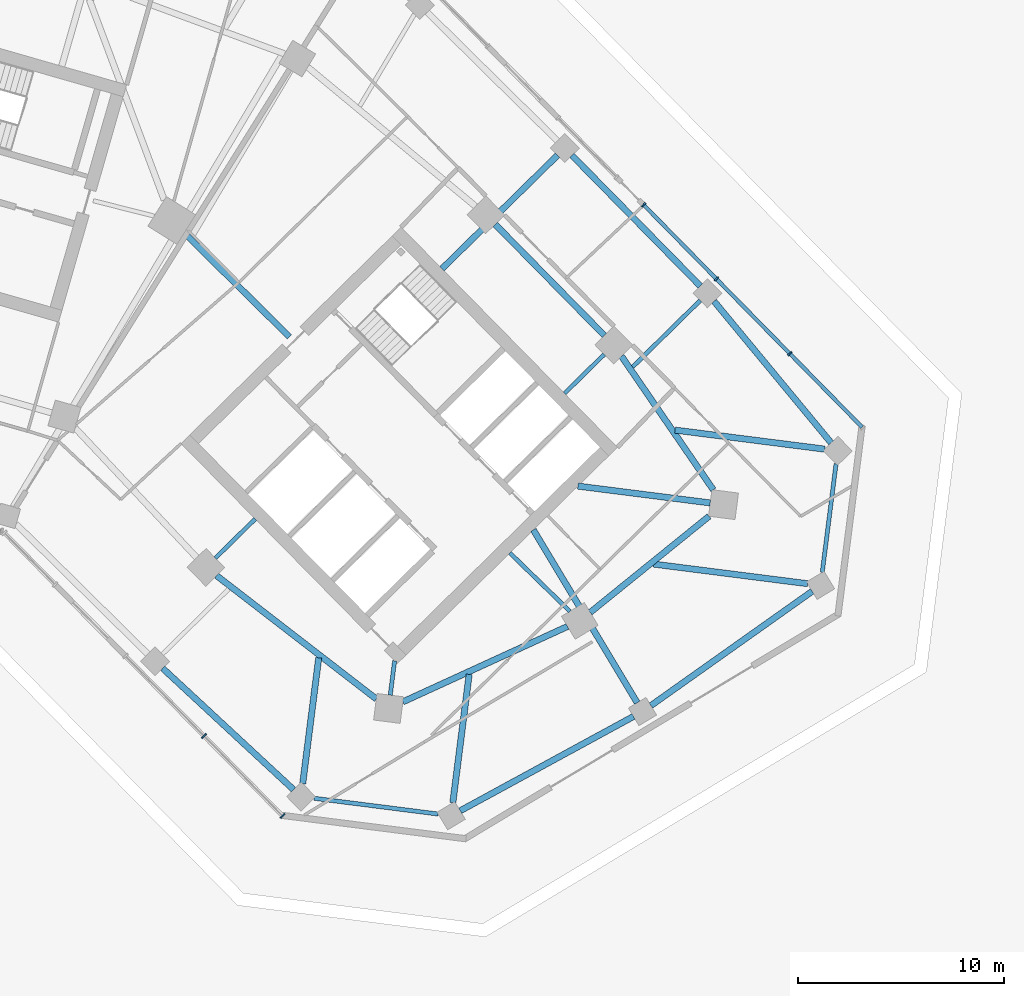
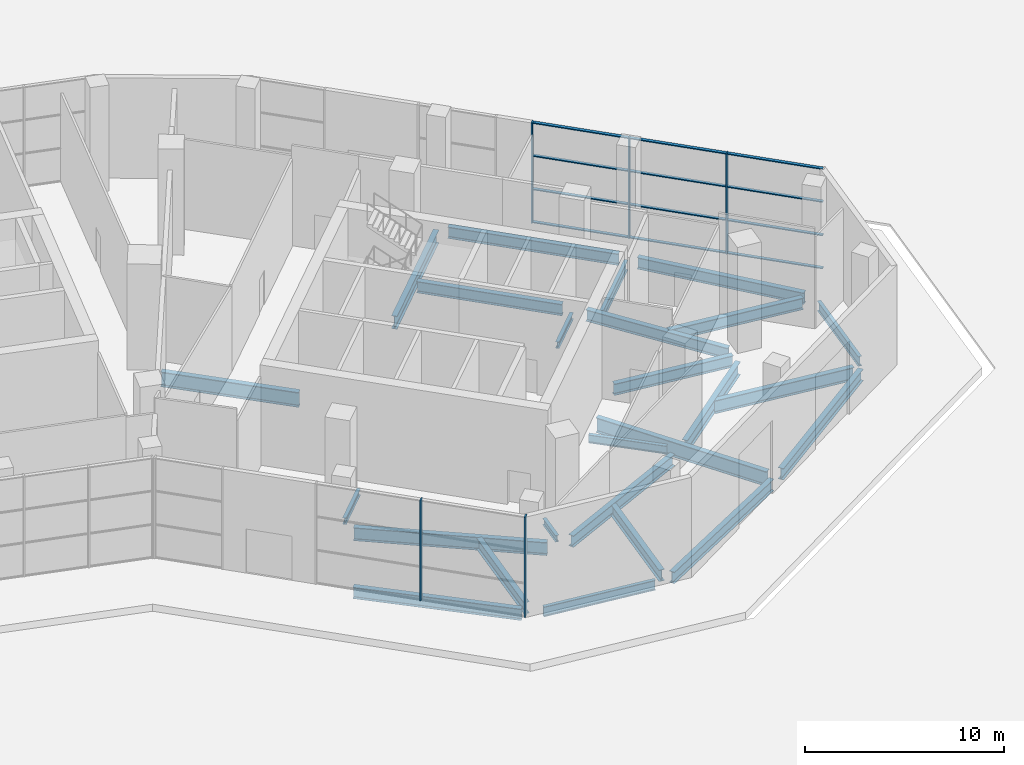
# One storey, part 7 of 22: 25 beams, 17 members, 2 elements without a shape of their own.
"""IFC4 building model written with IfcOpenShell, lengths in metres."""

import ifcopenshell
import ifcopenshell.guid

model = None  # the IFC model being written
_history = None  # IfcOwnerHistory: only IFC2X3 demands one
_inside = {}  # id of a spatial element -> (the spatial element, [elements in it])
_under = {}  # id of a project, library or spatial element -> (it, [spatial elements below it])
_declared = {}  # id of a project -> (the project, [libraries it declares])
_typed = {}  # id of a type object -> (the type object, [elements of that type])
_made_of = {}  # id of a material, layer set ... -> (it, [elements and type objects made of it])


def new_model(schema):
    """Start an empty IFC model of exactly this schema.

    Asked for "IFC4X3", IfcOpenShell would pick the latest addendum, in which some entities
    have other attributes; the version numbers below select the first issue.
    IFC2X3 requires an IfcOwnerHistory on every rooted entity: one is made here for all.
    """
    global model, _history
    if schema == "IFC4X3":
        model = ifcopenshell.file(schema_version=(4, 3, 0, 0))
    else:
        model = ifcopenshell.file(schema=schema)
    _inside.clear()
    _under.clear()
    _declared.clear()
    _typed.clear()
    _made_of.clear()
    _history = None
    if model.schema == "IFC2X3":
        org = make("IfcOrganization", Name="unknown")
        user = make(
            "IfcPersonAndOrganization",
            ThePerson=make("IfcPerson", FamilyName="unknown"),
            TheOrganization=org,
        )
        app = make(
            "IfcApplication",
            ApplicationDeveloper=org,
            Version="unknown",
            ApplicationFullName="unknown",
            ApplicationIdentifier="unknown",
        )
        _history = make(
            "IfcOwnerHistory",
            OwningUser=user,
            OwningApplication=app,
            ChangeAction="ADDED",
            CreationDate=0,
        )
    return model


def make(cls, **values):
    """One entity of the class cls with the attributes given. An attribute that is None is left unset."""
    return model.create_entity(
        cls, **{name: value for name, value in values.items() if value is not None}
    )


def rooted(cls, **values):
    """An entity with a GlobalId (a new one), such as an element, a storey or a relation."""
    return make(cls, GlobalId=ifcopenshell.guid.new(), OwnerHistory=_history, **values)


def si_unit(unit_type, name, prefix=None):
    """IfcSIUnit, for example si_unit("LENGTHUNIT", "METRE", prefix="MILLI")."""
    return make("IfcSIUnit", UnitType=unit_type, Prefix=prefix, Name=name)


def assignment(units):
    """IfcUnitAssignment: the units of a project."""
    return None if units is None else make("IfcUnitAssignment", Units=units)


def point(xyz):
    """IfcCartesianPoint."""
    return None if xyz is None else make("IfcCartesianPoint", Coordinates=xyz)


def direction(xyz):
    """IfcDirection."""
    return None if xyz is None else make("IfcDirection", DirectionRatios=xyz)


def frame(location, z_axis=None, x_axis=None):
    """IfcAxis2Placement3D, a coordinate frame: its origin and axes. An axis left out is left unset."""
    return make(
        "IfcAxis2Placement3D",
        Location=point(location),
        Axis=direction(z_axis),
        RefDirection=direction(x_axis),
    )


def frame_2d(location, x_axis=None):
    """IfcAxis2Placement2D, a coordinate frame in the plane: its origin and x axis."""
    return make(
        "IfcAxis2Placement2D", Location=point(location), RefDirection=direction(x_axis)
    )


def origin():
    """The frame at (0, 0, 0) with its axes left unset."""
    return frame((0.0, 0.0, 0.0))


def origin_2d():
    """The frame at (0, 0) in the plane with its x axis left unset."""
    return frame_2d((0.0, 0.0))


def place(relative_to, where):
    """IfcLocalPlacement: puts the frame where relative to a parent placement (None: the world)."""
    return make(
        "IfcLocalPlacement", PlacementRelTo=relative_to, RelativePlacement=where
    )


def context(
    kind, dimensions, precision=None, world=None, true_north=None, identifier=None
):
    """IfcGeometricRepresentationContext, for example the 3D "Model" context."""
    return make(
        "IfcGeometricRepresentationContext",
        ContextIdentifier=identifier,
        ContextType=kind,
        CoordinateSpaceDimension=dimensions,
        Precision=precision,
        WorldCoordinateSystem=world,
        TrueNorth=true_north,
    )


def subcontext(parent, identifier, kind, view, scale=None):
    """IfcGeometricRepresentationSubContext, for example "Body" below "Model"."""
    return make(
        "IfcGeometricRepresentationSubContext",
        ContextIdentifier=identifier,
        ContextType=kind,
        ParentContext=parent,
        TargetScale=scale,
        TargetView=view,
    )


def project(units=None, contexts=None):
    """IfcProject with its units and contexts."""
    return rooted(
        "IfcProject",
        Name="project",
        RepresentationContexts=contexts,
        UnitsInContext=assignment(units),
    )


def spatial(cls, under=None, at=None, **own):
    """A site, building, storey or space (cls), placed at a placement, below another one or the project."""
    s = rooted(cls, ObjectPlacement=at, **own)
    if under is not None:
        _under.setdefault(under.id(), (under, []))[1].append(s)
    return s


def profile(cls, at=None, kind="AREA", **sizes):
    """A parametric profile (cls). Its sizes go by their IFC names, for example OverallWidth=200.0."""
    return make(cls, ProfileType=kind, Position=at, **sizes)


def rectangle(**sizes):
    """IfcRectangleProfileDef."""
    return profile("IfcRectangleProfileDef", **sizes)


def i_section(**sizes):
    """IfcIShapeProfileDef."""
    return profile("IfcIShapeProfileDef", **sizes)


def extrude(swept, where, along, depth):
    """IfcExtrudedAreaSolid: the profile swept, set in the frame where, extruded along a direction by depth."""
    return make(
        "IfcExtrudedAreaSolid",
        SweptArea=swept,
        Position=where,
        ExtrudedDirection=direction(along),
        Depth=depth,
    )


def shape(context_of_items, identifier, shape_type, items):
    """IfcShapeRepresentation: the items that make up one representation, for example the "Body"."""
    return make(
        "IfcShapeRepresentation",
        ContextOfItems=context_of_items,
        RepresentationIdentifier=identifier,
        RepresentationType=shape_type,
        Items=items,
    )


def material(Name=None, Category=None):
    """IfcMaterial."""
    return make("IfcMaterial", Name=Name, Category=Category)


def material_profile(
    of_material, cross_section, Name=None, Category=None, Priority=None
):
    """IfcMaterialProfile: a cross section and its material."""
    return make(
        "IfcMaterialProfile",
        Name=Name,
        Material=of_material,
        Profile=cross_section,
        Priority=Priority,
        Category=Category,
    )


def profile_set(profiles, Name=None, composite=None):
    """IfcMaterialProfileSet."""
    return make(
        "IfcMaterialProfileSet",
        Name=Name,
        MaterialProfiles=profiles,
        CompositeProfile=composite,
    )


def made_of(thing, what):
    """Note that an element or type object is made of a material, layer set ...; save() writes the relation."""
    if what is not None:
        _made_of.setdefault(what.id(), (what, []))[1].append(thing)
    return thing


def type_object(cls, material=None, **own):
    """A type object (cls), such as IfcWallType, which elements share."""
    return made_of(rooted(cls, **own), material)


def element(
    cls,
    number,
    at=None,
    inside=None,
    cuts=None,
    type_object=None,
    material=None,
    context=None,
    identifier="Body",
    shape_type=None,
    held_by="IfcProductDefinitionShape",
    body=None,
    shapes=None,
    **own,
):
    """One element of the class cls, such as IfcWall. Its Tag is "e" and its number.

    at: its placement. inside: the storey or other place that contains it. cuts: it is an
    opening in that element (IfcRelVoidsElement). A single representation is given by context,
    identifier, shape_type and body (its items); several are given by shapes. held_by: the class
    of the entity that holds the representations. save() writes the other relations.
    """
    e = rooted(cls, Tag="e%d" % number, ObjectPlacement=at, **own)
    if body is not None:
        shapes = [shape(context, identifier, shape_type, body)]
    if shapes is not None:
        e.Representation = make(held_by, Representations=shapes)
    if inside is not None:
        _inside.setdefault(inside.id(), (inside, []))[1].append(e)
    if cuts is not None:
        rooted(
            "IfcRelVoidsElement", RelatingBuildingElement=cuts, RelatedOpeningElement=e
        )
    if type_object is not None:
        _typed.setdefault(type_object.id(), (type_object, []))[1].append(e)
    return made_of(e, material)


def aggregate(whole, parts):
    """IfcRelAggregates: a whole, such as a stair, and the parts it consists of."""
    return rooted("IfcRelAggregates", RelatingObject=whole, RelatedObjects=parts)


def save(model, path):
    """Write the relations noted so far, then the file.

    IfcRelAggregates (storeys below a building ...), IfcRelContainedInSpatialStructure (elements
    in a storey), IfcRelDefinesByType, IfcRelAssociatesMaterial and IfcRelDeclares: one each for
    every whole, place, type object, material and project.
    """
    for whole, parts in _under.values():
        aggregate(whole, parts)
    for where, things in _inside.values():
        rooted(
            "IfcRelContainedInSpatialStructure",
            RelatedElements=things,
            RelatingStructure=where,
        )
    for kind, things in _typed.values():
        rooted("IfcRelDefinesByType", RelatedObjects=things, RelatingType=kind)
    for what, things in _made_of.values():
        rooted("IfcRelAssociatesMaterial", RelatedObjects=things, RelatingMaterial=what)
    for by, libraries in _declared.values():
        rooted("IfcRelDeclares", RelatingContext=by, RelatedDefinitions=libraries)
    model.write(path)


model = new_model("IFC4")

# Units and contexts
model_context = context("Model", 3, precision=1e-05, world=origin(), true_north=direction((0.0, 1.0)))
body_context = subcontext(model_context, "Body", "Model", "MODEL_VIEW")
ifc_project = project(units=[si_unit("LENGTHUNIT", "METRE"), si_unit("AREAUNIT", "SQUARE_METRE"), si_unit("VOLUMEUNIT", "CUBIC_METRE"), si_unit("PLANEANGLEUNIT", "RADIAN"), si_unit("MASSUNIT", "GRAM", prefix="KILO")], contexts=[model_context])

# Site, building, storey
site_placement = place(None, origin())
site = spatial("IfcSite", under=ifc_project, at=site_placement, CompositionType="ELEMENT")
building_placement = place(site_placement, origin())
building = spatial("IfcBuilding", under=site, at=building_placement, Name="Binnacle Exchange Tower", CompositionType="ELEMENT")
storey_placement = place(building_placement, origin())
storey = spatial("IfcBuildingStorey", under=building, at=storey_placement, Name="L00", CompositionType="ELEMENT", Elevation=0.0)

# Curtain wall, members
ifc_material_1 = material(Name="Bronze anodised aluminium frame", Category="aluminium")
curtain_wall_type_1 = type_object("IfcCurtainWallType", Name="External wall - curtain wall waterfront lobby", PredefinedType="NOTDEFINED", material=ifc_material_1)
curtain_wall_1_placement = place(storey_placement, origin())
curtain_wall_1 = element("IfcCurtainWall", 1, at=curtain_wall_1_placement, inside=storey, type_object=curtain_wall_type_1, Name="External wall curtain wall CW1-P08-2 L00", PredefinedType="NOTDEFINED")
ifc_material_profile_1 = material_profile(ifc_material_1, rectangle(XDim=0.300048828125, YDim=0.080078125, at=origin_2d()), Name="AL 80x300")
ifc_profile_set_1 = profile_set([ifc_material_profile_1], Name="Bronze anodised aluminium frame")
member_type_1 = type_object("IfcMemberType", Name="CW1 MULLION 80x300", PredefinedType="MULLION", material=ifc_profile_set_1)
member_1_placement = place(storey_placement, frame((32.553466796875, 26.330078125, 0.0), z_axis=(0.0, 0.0, 1.0), x_axis=(0.713250360635, 0.700909354378, 0.0)))
member_1 = element("IfcMember", 2, at=member_1_placement, type_object=member_type_1, Name="CW1-P08-2 mullion 2", PredefinedType="MULLION", context=body_context, shape_type="SweptSolid", body=[
    extrude(rectangle(XDim=0.300048828125, YDim=0.080078125, at=origin_2d()), origin(), (0.0, 0.0, 1.0), 6.14990234375),
])
member_2_placement = place(storey_placement, frame((36.370361328125, 22.44580078125, 0.0), z_axis=(0.0, 0.0, 1.0), x_axis=(0.713250360635, 0.700909354378, 0.0)))
member_2 = element("IfcMember", 3, at=member_2_placement, type_object=member_type_1, Name="CW1-P08-2 mullion 3", PredefinedType="MULLION", context=body_context, shape_type="SweptSolid", body=[
    extrude(rectangle(XDim=0.300048828125, YDim=0.080078125, at=origin_2d()), origin(), (0.0, 0.0, 1.0), 6.14990234375),
])
aggregate(curtain_wall_1, [member_1, member_2])

curtain_wall_type_2 = type_object("IfcCurtainWallType", Name="External wall - curtain wall north entrance", PredefinedType="NOTDEFINED", material=ifc_material_1)
curtain_wall_2_placement = place(storey_placement, origin())
curtain_wall_2 = element("IfcCurtainWall", 4, at=curtain_wall_2_placement, inside=storey, type_object=curtain_wall_type_2, Name="External wall curtain wall CW2-P12-1 L00", PredefinedType="NOTDEFINED")
ifc_material_profile_2 = material_profile(ifc_material_1, rectangle(XDim=0.25, YDim=0.080078125, at=origin_2d()), Name="AL 80x250")
ifc_profile_set_2 = profile_set([ifc_material_profile_2], Name="Bronze anodised aluminium frame")
member_type_2 = type_object("IfcMemberType", Name="CW2 MULLION 80x250", PredefinedType="MULLION", material=ifc_profile_set_2)
member_3_placement = place(storey_placement, frame((61.025146484375, 44.919189453125, 0.0), z_axis=(0.0, 0.0, 1.0), x_axis=(-0.713250360623, -0.70090935439, 0.0)))
member_3 = element("IfcMember", 5, at=member_3_placement, type_object=member_type_2, Name="CW2-P12-1 mullion 2", PredefinedType="MULLION", context=body_context, shape_type="SweptSolid", body=[
    extrude(rectangle(XDim=0.25, YDim=0.080078125, at=origin_2d()), origin(), (0.0, 0.0, 1.0), 6.14990234375),
])
member_4_placement = place(storey_placement, frame((57.456787109375, 48.550537109375, 0.0), z_axis=(0.0, 0.0, 1.0), x_axis=(-0.713250360623, -0.70090935439, 0.0)))
member_4 = element("IfcMember", 6, at=member_4_placement, type_object=member_type_2, Name="CW2-P12-1 mullion 3", PredefinedType="MULLION", context=body_context, shape_type="SweptSolid", body=[
    extrude(rectangle(XDim=0.25, YDim=0.080078125, at=origin_2d()), origin(), (0.0, 0.0, 1.0), 6.14990234375),
])
member_5_placement = place(storey_placement, frame((53.916259765625, 52.1533203125, 0.0), z_axis=(0.0, 0.0, 1.0), x_axis=(-0.713250360623, -0.70090935439, 0.0)))
member_5 = element("IfcMember", 7, at=member_5_placement, type_object=member_type_2, Name="CW2-P12-1 mullion 4", PredefinedType="MULLION", context=body_context, shape_type="SweptSolid", body=[
    extrude(rectangle(XDim=0.25, YDim=0.080078125, at=origin_2d()), origin(), (0.0, 0.0, 1.0), 6.14990234375),
])
ifc_material_profile_3 = material_profile(ifc_material_1, rectangle(XDim=0.179931640625, YDim=0.06005859375, at=origin_2d()), Name="AL 180x60")
ifc_profile_set_3 = profile_set([ifc_material_profile_3], Name="Bronze anodised aluminium frame")
member_type_3 = type_object("IfcMemberType", Name="CW2 TRANSOM 60x180", PredefinedType="USERDEFINED", material=ifc_profile_set_3)
member_6_placement = place(storey_placement, frame((64.53759765625, 41.344970703125, 0.030029296875), z_axis=(-0.700891899442, 0.713267513137, 0.0), x_axis=(-0.713267513137, -0.700891899442, 0.0)))
member_6 = element("IfcMember", 8, at=member_6_placement, type_object=member_type_3, Name="CW2-P12-1 transom 1.1", ObjectType="TRANSOM", PredefinedType="USERDEFINED", context=body_context, shape_type="SweptSolid", body=[
    extrude(rectangle(XDim=0.179931640625, YDim=0.06005859375, at=origin_2d()), origin(), (0.0, 0.0, 1.0), 4.971435546875),
])
member_7_placement = place(storey_placement, frame((64.53759765625, 41.344970703125, 2.050048828125), z_axis=(-0.700891899442, 0.713267513137, 0.0), x_axis=(-0.713267513137, -0.700891899442, 0.0)))
member_7 = element("IfcMember", 9, at=member_7_placement, type_object=member_type_3, Name="CW2-P12-1 transom 1.2", ObjectType="TRANSOM", PredefinedType="USERDEFINED", context=body_context, shape_type="SweptSolid", body=[
    extrude(rectangle(XDim=0.179931640625, YDim=0.06005859375, at=origin_2d()), origin(), (0.0, 0.0, 1.0), 4.971435546875),
])
member_8_placement = place(storey_placement, frame((64.53759765625, 41.344970703125, 4.10009765625), z_axis=(-0.700891899442, 0.713267513137, 0.0), x_axis=(-0.713267513137, -0.700891899442, 0.0)))
member_8 = element("IfcMember", 10, at=member_8_placement, type_object=member_type_3, Name="CW2-P12-1 transom 1.3", ObjectType="TRANSOM", PredefinedType="USERDEFINED", context=body_context, shape_type="SweptSolid", body=[
    extrude(rectangle(XDim=0.179931640625, YDim=0.06005859375, at=origin_2d()), origin(), (0.0, 0.0, 1.0), 4.971435546875),
])
member_9_placement = place(storey_placement, frame((64.53759765625, 41.344970703125, 6.1201171875), z_axis=(-0.700891899442, 0.713267513137, 0.0), x_axis=(-0.713267513137, -0.700891899442, 0.0)))
member_9 = element("IfcMember", 11, at=member_9_placement, type_object=member_type_3, Name="CW2-P12-1 transom 1.4", ObjectType="TRANSOM", PredefinedType="USERDEFINED", context=body_context, shape_type="SweptSolid", body=[
    extrude(rectangle(XDim=0.179931640625, YDim=0.06005859375, at=origin_2d()), origin(), (0.0, 0.0, 1.0), 4.971435546875),
])
member_10_placement = place(storey_placement, frame((60.9970703125, 44.94775390625, 0.030029296875), z_axis=(-0.700892643465, 0.713266782023, 0.0), x_axis=(-0.713266782023, -0.700892643465, 0.0)))
member_10 = element("IfcMember", 12, at=member_10_placement, type_object=member_type_3, Name="CW2-P12-1 transom 2.1", ObjectType="TRANSOM", PredefinedType="USERDEFINED", context=body_context, shape_type="SweptSolid", body=[
    extrude(rectangle(XDim=0.179931640625, YDim=0.06005859375, at=origin_2d()), origin(), (0.0, 0.0, 1.0), 5.011474609375),
])
member_11_placement = place(storey_placement, frame((60.9970703125, 44.94775390625, 2.050048828125), z_axis=(-0.700892643465, 0.713266782023, 0.0), x_axis=(-0.713266782023, -0.700892643465, 0.0)))
member_11 = element("IfcMember", 13, at=member_11_placement, type_object=member_type_3, Name="CW2-P12-1 transom 2.2", ObjectType="TRANSOM", PredefinedType="USERDEFINED", context=body_context, shape_type="SweptSolid", body=[
    extrude(rectangle(XDim=0.179931640625, YDim=0.06005859375, at=origin_2d()), origin(), (0.0, 0.0, 1.0), 5.011474609375),
])
member_12_placement = place(storey_placement, frame((60.9970703125, 44.94775390625, 4.10009765625), z_axis=(-0.700892643465, 0.713266782023, 0.0), x_axis=(-0.713266782023, -0.700892643465, 0.0)))
member_12 = element("IfcMember", 14, at=member_12_placement, type_object=member_type_3, Name="CW2-P12-1 transom 2.3", ObjectType="TRANSOM", PredefinedType="USERDEFINED", context=body_context, shape_type="SweptSolid", body=[
    extrude(rectangle(XDim=0.179931640625, YDim=0.06005859375, at=origin_2d()), origin(), (0.0, 0.0, 1.0), 5.011474609375),
])
member_13_placement = place(storey_placement, frame((60.9970703125, 44.94775390625, 6.1201171875), z_axis=(-0.700892643465, 0.713266782023, 0.0), x_axis=(-0.713266782023, -0.700892643465, 0.0)))
member_13 = element("IfcMember", 15, at=member_13_placement, type_object=member_type_3, Name="CW2-P12-1 transom 2.4", ObjectType="TRANSOM", PredefinedType="USERDEFINED", context=body_context, shape_type="SweptSolid", body=[
    extrude(rectangle(XDim=0.179931640625, YDim=0.06005859375, at=origin_2d()), origin(), (0.0, 0.0, 1.0), 5.011474609375),
])
member_14_placement = place(storey_placement, frame((57.4287109375, 48.5791015625, 0.030029296875), z_axis=(-0.700891899442, 0.713267513137, 0.0), x_axis=(-0.713267513137, -0.700891899442, 0.0)))
member_14 = element("IfcMember", 16, at=member_14_placement, type_object=member_type_3, Name="CW2-P12-1 transom 3.1", ObjectType="TRANSOM", PredefinedType="USERDEFINED", context=body_context, shape_type="SweptSolid", body=[
    extrude(rectangle(XDim=0.179931640625, YDim=0.06005859375, at=origin_2d()), origin(), (0.0, 0.0, 1.0), 4.971435546875),
])
member_15_placement = place(storey_placement, frame((57.4287109375, 48.5791015625, 2.050048828125), z_axis=(-0.700891899442, 0.713267513137, 0.0), x_axis=(-0.713267513137, -0.700891899442, 0.0)))
member_15 = element("IfcMember", 17, at=member_15_placement, type_object=member_type_3, Name="CW2-P12-1 transom 3.2", ObjectType="TRANSOM", PredefinedType="USERDEFINED", context=body_context, shape_type="SweptSolid", body=[
    extrude(rectangle(XDim=0.179931640625, YDim=0.06005859375, at=origin_2d()), origin(), (0.0, 0.0, 1.0), 4.971435546875),
])
member_16_placement = place(storey_placement, frame((57.4287109375, 48.5791015625, 4.10009765625), z_axis=(-0.700891899442, 0.713267513137, 0.0), x_axis=(-0.713267513137, -0.700891899442, 0.0)))
member_16 = element("IfcMember", 18, at=member_16_placement, type_object=member_type_3, Name="CW2-P12-1 transom 3.3", ObjectType="TRANSOM", PredefinedType="USERDEFINED", context=body_context, shape_type="SweptSolid", body=[
    extrude(rectangle(XDim=0.179931640625, YDim=0.06005859375, at=origin_2d()), origin(), (0.0, 0.0, 1.0), 4.971435546875),
])
member_17_placement = place(storey_placement, frame((57.4287109375, 48.5791015625, 6.1201171875), z_axis=(-0.700891899442, 0.713267513137, 0.0), x_axis=(-0.713267513137, -0.700891899442, 0.0)))
member_17 = element("IfcMember", 19, at=member_17_placement, type_object=member_type_3, Name="CW2-P12-1 transom 3.4", ObjectType="TRANSOM", PredefinedType="USERDEFINED", context=body_context, shape_type="SweptSolid", body=[
    extrude(rectangle(XDim=0.179931640625, YDim=0.06005859375, at=origin_2d()), origin(), (0.0, 0.0, 1.0), 4.971435546875),
])
aggregate(curtain_wall_2, [member_3, member_4, member_5, member_6, member_7, member_8, member_9, member_10, member_11, member_12, member_13, member_14, member_15, member_16, member_17])

# Beams
ifc_material_2 = material(Name="Steel S355 (SHN355)", Category="steel")
ifc_material_profile_4 = material_profile(ifc_material_2, i_section(OverallWidth=0.199951171875, OverallDepth=0.60009765625, WebThickness=0.010986328125, FlangeThickness=0.01708984375, FilletRadius=0.02197265625, at=origin_2d()), Name="H 600x200x11x17")
ifc_profile_set_4 = profile_set([ifc_material_profile_4], Name="Steel S355 (SHN355)")
beam_type_1 = type_object("IfcBeamType", Name="Edge girder H 600x200x11x17 Steel S355 (SHN355)", PredefinedType="SPANDREL", material=ifc_profile_set_4)
beam_1_placement = place(storey_placement, frame((63.271728515625, 39.56591796875, -0.75), z_axis=(-0.126220609822, -0.992002196397, 0.0), x_axis=(0.992002196397, -0.126220609822, 0.0)))
element("IfcBeam", 20, at=beam_1_placement, inside=storey, type_object=beam_type_1, Name="S:BM:edge:L00:075", PredefinedType="SPANDREL", context=body_context, shape_type="SweptSolid", body=[
    extrude(i_section(OverallWidth=0.199951171875, OverallDepth=0.60009765625, WebThickness=0.010986328125, FlangeThickness=0.01708984375, FilletRadius=0.02197265625, at=origin_2d()), origin(), (0.0, 0.0, 1.0), 5.319091796875),
])
ifc_material_profile_5 = material_profile(ifc_material_2, i_section(OverallWidth=0.200927734375, OverallDepth=0.60595703125, WebThickness=0.011962890625, FlangeThickness=0.02001953125, FilletRadius=0.02197265625, at=origin_2d()), Name="H 606x201x12x20")
ifc_profile_set_5 = profile_set([ifc_material_profile_5], Name="Steel S355 (SHN355)")
beam_type_2 = type_object("IfcBeamType", Name="Edge girder H 606x201x12x20 Steel S355 (SHN355)", PredefinedType="SPANDREL", material=ifc_profile_set_5)
beam_2_placement = place(storey_placement, frame((43.931884765625, 22.540283203125, -0.7529296875), z_axis=(-0.992003760978, 0.126208312743, 0.0), x_axis=(-0.126208312743, -0.992003760978, 0.0)))
element("IfcBeam", 21, at=beam_2_placement, inside=storey, type_object=beam_type_2, Name="S:BM:edge:L00:066", PredefinedType="SPANDREL", context=body_context, shape_type="SweptSolid", body=[
    extrude(i_section(OverallWidth=0.200927734375, OverallDepth=0.60595703125, WebThickness=0.011962890625, FlangeThickness=0.02001953125, FilletRadius=0.02197265625, at=origin_2d()), origin(), (0.0, 0.0, 1.0), 6.081787109375),
])
ifc_material_profile_6 = material_profile(ifc_material_2, i_section(OverallWidth=0.300048828125, OverallDepth=0.699951171875, WebThickness=0.012939453125, FlangeThickness=0.02392578125, FilletRadius=0.028076171875, at=origin_2d()), Name="H 700x300x13x24")
ifc_profile_set_6 = profile_set([ifc_material_profile_6], Name="Steel S355 (SHN355)")
beam_type_3 = type_object("IfcBeamType", Name="Edge girder H 700x300x13x24 Steel S355 (SHN355)", PredefinedType="SPANDREL", material=ifc_profile_set_6)
beam_3_placement = place(storey_placement, frame((36.89990234375, 23.728515625, -0.800048828125), z_axis=(-0.733314595009, 0.679889479803, 0.0), x_axis=(-0.679889479803, -0.733314595009, 0.0)))
element("IfcBeam", 22, at=beam_3_placement, inside=storey, type_object=beam_type_3, Name="S:BM:edge:L00:062", PredefinedType="SPANDREL", context=body_context, shape_type="SweptSolid", body=[
    extrude(i_section(OverallWidth=0.300048828125, OverallDepth=0.699951171875, WebThickness=0.012939453125, FlangeThickness=0.02392578125, FilletRadius=0.028076171875, at=origin_2d()), origin(), (0.0, 0.0, 1.0), 8.67333984375),
])
beam_4_placement = place(storey_placement, frame((50.436279296875, 54.553466796875, -0.800048828125), z_axis=(0.700891088092, -0.713268310408, 0.0), x_axis=(0.713268310408, 0.700891088092, 0.0)))
element("IfcBeam", 23, at=beam_4_placement, inside=storey, type_object=beam_type_3, Name="S:BM:edge:L00:068", PredefinedType="SPANDREL", context=body_context, shape_type="SweptSolid", body=[
    extrude(i_section(OverallWidth=0.300048828125, OverallDepth=0.699951171875, WebThickness=0.012939453125, FlangeThickness=0.02392578125, FilletRadius=0.028076171875, at=origin_2d()), origin(), (0.0, 0.0, 1.0), 8.89599609375),
])
beam_5_placement = place(storey_placement, frame((52.010986328125, 45.802978515625, -0.800048828125), z_axis=(-0.700905226564, 0.713254417004, 0.0), x_axis=(-0.713254417004, -0.700905226564, 0.0)))
element("IfcBeam", 24, at=beam_5_placement, inside=storey, type_object=beam_type_3, Name="S:BM:edge:L00:070", PredefinedType="SPANDREL", context=body_context, shape_type="SweptSolid", body=[
    extrude(i_section(OverallWidth=0.300048828125, OverallDepth=0.699951171875, WebThickness=0.012939453125, FlangeThickness=0.02392578125, FilletRadius=0.028076171875, at=origin_2d()), origin(), (0.0, 0.0, 1.0), 7.57177734375),
])
beam_6_placement = place(storey_placement, frame((57.341796875, 47.46484375, -0.800048828125), z_axis=(0.63729683622, -0.770618415653, 0.0), x_axis=(0.770618415653, 0.63729683622, 0.0)))
element("IfcBeam", 25, at=beam_6_placement, inside=storey, type_object=beam_type_3, Name="S:BM:edge:L00:073", PredefinedType="SPANDREL", context=body_context, shape_type="SweptSolid", body=[
    extrude(i_section(OverallWidth=0.300048828125, OverallDepth=0.699951171875, WebThickness=0.012939453125, FlangeThickness=0.02392578125, FilletRadius=0.028076171875, at=origin_2d()), origin(), (0.0, 0.0, 1.0), 8.928955078125),
])
ifc_material_profile_7 = material_profile(ifc_material_2, i_section(OverallWidth=0.302001953125, OverallDepth=0.7080078125, WebThickness=0.014892578125, FlangeThickness=0.028076171875, FilletRadius=0.028076171875, at=origin_2d()), Name="H 708x302x15x28")
ifc_profile_set_7 = profile_set([ifc_material_profile_7], Name="Steel S355 (SHN355)")
beam_type_4 = type_object("IfcBeamType", Name="Edge girder H 708x302x15x28 Steel S355 (SHN355)", PredefinedType="SPANDREL", material=ifc_profile_set_7)
beam_7_placement = place(storey_placement, frame((42.215576171875, 27.99365234375, -0.803955078125), z_axis=(0.909179052108, 0.416405392866, 0.0), x_axis=(-0.416405392866, 0.909179052108, 0.0)))
element("IfcBeam", 26, at=beam_7_placement, inside=storey, type_object=beam_type_4, Name="S:BM:edge:L00:064", PredefinedType="SPANDREL", context=body_context, shape_type="SweptSolid", body=[
    extrude(i_section(OverallWidth=0.302001953125, OverallDepth=0.7080078125, WebThickness=0.014892578125, FlangeThickness=0.028076171875, FilletRadius=0.028076171875, at=origin_2d()), origin(), (0.0, 0.0, 1.0), 8.801025390625),
])
beam_8_placement = place(storey_placement, frame((53.42431640625, 27.28369140625, -0.803955078125), z_axis=(-0.878284521439, -0.478138368468, 0.0), x_axis=(0.478138368468, -0.878284521439, 0.0)))
element("IfcBeam", 27, at=beam_8_placement, inside=storey, type_object=beam_type_4, Name="S:BM:edge:L00:071", PredefinedType="SPANDREL", context=body_context, shape_type="SweptSolid", body=[
    extrude(i_section(OverallWidth=0.302001953125, OverallDepth=0.7080078125, WebThickness=0.014892578125, FlangeThickness=0.028076171875, FilletRadius=0.028076171875, at=origin_2d()), origin(), (0.0, 0.0, 1.0), 9.588134765625),
])
beam_9_placement = place(storey_placement, frame((57.305419921875, 38.299072265625, -0.803955078125), z_axis=(-0.566409202341, 0.82412415054, 0.0), x_axis=(-0.82412415054, -0.566409202341, 0.0)))
element("IfcBeam", 28, at=beam_9_placement, inside=storey, type_object=beam_type_4, Name="S:BM:edge:L00:072", PredefinedType="SPANDREL", context=body_context, shape_type="SweptSolid", body=[
    extrude(i_section(OverallWidth=0.302001953125, OverallDepth=0.7080078125, WebThickness=0.014892578125, FlangeThickness=0.028076171875, FilletRadius=0.028076171875, at=origin_2d()), origin(), (0.0, 0.0, 1.0), 7.8828125),
])
beam_10_placement = place(storey_placement, frame((62.111083984375, 33.36767578125, -0.803955078125), z_axis=(-0.815901600123, -0.578190780726, 0.0), x_axis=(0.578190780726, -0.815901600123, 0.0)))
element("IfcBeam", 29, at=beam_10_placement, inside=storey, type_object=beam_type_4, Name="S:BM:edge:L00:074", PredefinedType="SPANDREL", context=body_context, shape_type="SweptSolid", body=[
    extrude(i_section(OverallWidth=0.302001953125, OverallDepth=0.7080078125, WebThickness=0.014892578125, FlangeThickness=0.028076171875, FilletRadius=0.028076171875, at=origin_2d()), origin(), (0.0, 0.0, 1.0), 9.60693359375),
])
ifc_material_profile_8 = material_profile(ifc_material_2, i_section(OverallWidth=0.300048828125, OverallDepth=0.800048828125, WebThickness=0.013916015625, FlangeThickness=0.02587890625, FilletRadius=0.028076171875, at=origin_2d()), Name="H 800x300x14x26")
ifc_profile_set_8 = profile_set([ifc_material_profile_8], Name="Steel S355 (SHN355)")
beam_type_5 = type_object("IfcBeamType", Name="Edge girder H 800x300x14x26 Steel S355 (SHN355)", PredefinedType="SPANDREL", material=ifc_profile_set_8)
beam_11_placement = place(storey_placement, frame((33.160400390625, 34.12890625, -0.85009765625), z_axis=(0.791533490776, -0.611125791454, 0.0), x_axis=(0.611125791454, 0.791533490776, 0.0)))
element("IfcBeam", 30, at=beam_11_placement, inside=storey, type_object=beam_type_5, Name="S:BM:edge:L00:060", PredefinedType="SPANDREL", context=body_context, shape_type="SweptSolid", body=[
    extrude(i_section(OverallWidth=0.300048828125, OverallDepth=0.800048828125, WebThickness=0.013916015625, FlangeThickness=0.02587890625, FilletRadius=0.028076171875, at=origin_2d()), origin(), (0.0, 0.0, 1.0), 9.80712890625),
])
beam_12_placement = place(storey_placement, frame((51.322265625, 32.343505859375, -0.85009765625), z_axis=(0.777568489665, 0.628798253719, 0.0), x_axis=(-0.628798253719, 0.777568489665, 0.0)))
element("IfcBeam", 31, at=beam_12_placement, inside=storey, type_object=beam_type_5, Name="S:BM:edge:L00:069", PredefinedType="SPANDREL", context=body_context, shape_type="SweptSolid", body=[
    extrude(i_section(OverallWidth=0.300048828125, OverallDepth=0.800048828125, WebThickness=0.013916015625, FlangeThickness=0.02587890625, FilletRadius=0.028076171875, at=origin_2d()), origin(), (0.0, 0.0, 1.0), 7.428955078125),
])
ifc_material_profile_9 = material_profile(ifc_material_2, i_section(OverallWidth=0.199951171875, OverallDepth=0.39990234375, WebThickness=0.008056640625, FlangeThickness=0.012939453125, FilletRadius=0.01611328125, at=origin_2d()), Name="H 400x200x8x13")
ifc_profile_set_9 = profile_set([ifc_material_profile_9], Name="Steel S355 (SHN355)")
beam_type_6 = type_object("IfcBeamType", Name="Floor beam H 400x200x8x13 Steel S355 (SHN355)", PredefinedType="BEAM", material=ifc_profile_set_9)
beam_13_placement = place(storey_placement, frame((33.104736328125, 34.985595703125, -0.64990234375), z_axis=(0.713254209224, 0.700905438004, 0.0), x_axis=(-0.700905438004, 0.713254209224, 0.0)))
element("IfcBeam", 32, at=beam_13_placement, inside=storey, type_object=beam_type_6, Name="S:BM:cross:L00:114", PredefinedType="BEAM", context=body_context, shape_type="SweptSolid", body=[
    extrude(i_section(OverallWidth=0.199951171875, OverallDepth=0.39990234375, WebThickness=0.008056640625, FlangeThickness=0.012939453125, FilletRadius=0.01611328125, at=origin_2d()), origin(), (0.0, 0.0, 1.0), 2.70849609375),
])
beam_14_placement = place(storey_placement, frame((41.601806640625, 28.319580078125, -0.64990234375), z_axis=(0.126197116971, 0.992005185303, 0.0), x_axis=(-0.992005185303, 0.126197116971, 0.0)))
element("IfcBeam", 33, at=beam_14_placement, inside=storey, type_object=beam_type_6, Name="S:BM:cross:L00:118", PredefinedType="BEAM", context=body_context, shape_type="SweptSolid", body=[
    extrude(i_section(OverallWidth=0.199951171875, OverallDepth=0.39990234375, WebThickness=0.008056640625, FlangeThickness=0.012939453125, FilletRadius=0.01611328125, at=origin_2d()), origin(), (0.0, 0.0, 1.0), 1.68115234375),
])
beam_15_placement = place(storey_placement, frame((52.003173828125, 44.8837890625, -0.64990234375), z_axis=(-0.713254209224, -0.700905438004, 0.0), x_axis=(0.700905438004, -0.713254209224, 0.0)))
element("IfcBeam", 34, at=beam_15_placement, inside=storey, type_object=beam_type_6, Name="S:BM:cross:L00:122", PredefinedType="BEAM", context=body_context, shape_type="SweptSolid", body=[
    extrude(i_section(OverallWidth=0.199951171875, OverallDepth=0.39990234375, WebThickness=0.008056640625, FlangeThickness=0.012939453125, FilletRadius=0.01611328125, at=origin_2d()), origin(), (0.0, 0.0, 1.0), 2.70849609375),
])
ifc_material_profile_10 = material_profile(ifc_material_2, i_section(OverallWidth=0.200927734375, OverallDepth=0.60595703125, WebThickness=0.011962890625, FlangeThickness=0.02001953125, FilletRadius=0.02197265625, at=origin_2d()), Name="H 606x201x12x20")
ifc_profile_set_10 = profile_set([ifc_material_profile_10], Name="Steel S355 (SHN355)")
beam_type_7 = type_object("IfcBeamType", Name="Floor beam H 606x201x12x20 Steel S355 (SHN355)", PredefinedType="BEAM", material=ifc_profile_set_10)
beam_16_placement = place(storey_placement, frame((56.665283203125, 47.501220703125, -0.7529296875), z_axis=(-0.713253693622, -0.70090596269, 0.0), x_axis=(0.70090596269, -0.713253693622, 0.0)))
element("IfcBeam", 35, at=beam_16_placement, inside=storey, type_object=beam_type_7, Name="S:BM:cross:L00:124", PredefinedType="BEAM", context=body_context, shape_type="SweptSolid", body=[
    extrude(i_section(OverallWidth=0.200927734375, OverallDepth=0.60595703125, WebThickness=0.011962890625, FlangeThickness=0.02001953125, FilletRadius=0.02197265625, at=origin_2d()), origin(), (0.0, 0.0, 1.0), 4.60693359375),
])
ifc_material_profile_11 = material_profile(ifc_material_2, i_section(OverallWidth=0.300048828125, OverallDepth=0.699951171875, WebThickness=0.012939453125, FlangeThickness=0.02392578125, FilletRadius=0.028076171875, at=origin_2d()), Name="H 700x300x13x24")
ifc_profile_set_11 = profile_set([ifc_material_profile_11], Name="Steel S355 (SHN355)")
beam_type_8 = type_object("IfcBeamType", Name="Floor beam H 700x300x13x24 Steel S355 (SHN355)", PredefinedType="BEAM", material=ifc_profile_set_11)
beam_17_placement = place(storey_placement, frame((37.347412109375, 24.019775390625, -0.800048828125), z_axis=(0.126189771205, 0.992006119761, 0.0), x_axis=(-0.992006119761, 0.126189771205, 0.0)))
element("IfcBeam", 36, at=beam_17_placement, inside=storey, type_object=beam_type_8, Name="S:BM:cross:L00:117", PredefinedType="BEAM", context=body_context, shape_type="SweptSolid", body=[
    extrude(i_section(OverallWidth=0.300048828125, OverallDepth=0.699951171875, WebThickness=0.012939453125, FlangeThickness=0.02392578125, FilletRadius=0.028076171875, at=origin_2d()), origin(), (0.0, 0.0, 1.0), 6.162109375),
])
beam_18_placement = place(storey_placement, frame((44.643798828125, 23.091552734375, -0.800048828125), z_axis=(0.126227881038, 0.992001271193, 0.0), x_axis=(-0.992001271193, 0.126227881038, 0.0)))
element("IfcBeam", 37, at=beam_18_placement, inside=storey, type_object=beam_type_8, Name="S:BM:cross:L00:120", PredefinedType="BEAM", context=body_context, shape_type="SweptSolid", body=[
    extrude(i_section(OverallWidth=0.300048828125, OverallDepth=0.699951171875, WebThickness=0.012939453125, FlangeThickness=0.02392578125, FilletRadius=0.028076171875, at=origin_2d()), origin(), (0.0, 0.0, 1.0), 6.287841796875),
])
beam_19_placement = place(storey_placement, frame((57.154296875, 37.6630859375, -0.800048828125), z_axis=(-0.992006658356, 0.126185537116, 0.0), x_axis=(-0.126185537116, -0.992006658356, 0.0)))
element("IfcBeam", 38, at=beam_19_placement, inside=storey, type_object=beam_type_8, Name="S:BM:cross:L00:125", PredefinedType="BEAM", context=body_context, shape_type="SweptSolid", body=[
    extrude(i_section(OverallWidth=0.300048828125, OverallDepth=0.699951171875, WebThickness=0.012939453125, FlangeThickness=0.02392578125, FilletRadius=0.028076171875, at=origin_2d()), origin(), (0.0, 0.0, 1.0), 6.4814453125),
])
ifc_material_profile_12 = material_profile(ifc_material_2, i_section(OverallWidth=0.302001953125, OverallDepth=0.7080078125, WebThickness=0.014892578125, FlangeThickness=0.028076171875, FilletRadius=0.028076171875, at=origin_2d()), Name="H 708x302x15x28")
ifc_profile_set_12 = profile_set([ifc_material_profile_12], Name="Steel S355 (SHN355)")
beam_type_9 = type_object("IfcBeamType", Name="Floor beam H 708x302x15x28 Steel S355 (SHN355)", PredefinedType="BEAM", material=ifc_profile_set_12)
beam_20_placement = place(storey_placement, frame((62.720458984375, 40.277587890625, -0.803955078125), z_axis=(-0.992000413131, 0.126234624202, 0.0), x_axis=(-0.126234624202, -0.992000413131, 0.0)))
element("IfcBeam", 39, at=beam_20_placement, inside=storey, type_object=beam_type_9, Name="S:BM:cross:L00:127", PredefinedType="BEAM", context=body_context, shape_type="SweptSolid", body=[
    extrude(i_section(OverallWidth=0.302001953125, OverallDepth=0.7080078125, WebThickness=0.014892578125, FlangeThickness=0.028076171875, FilletRadius=0.028076171875, at=origin_2d()), origin(), (0.0, 0.0, 1.0), 7.333740234375),
])
ifc_material_profile_13 = material_profile(ifc_material_2, i_section(OverallWidth=0.300048828125, OverallDepth=0.800048828125, WebThickness=0.013916015625, FlangeThickness=0.02587890625, FilletRadius=0.028076171875, at=origin_2d()), Name="H 800x300x14x26")
ifc_profile_set_13 = profile_set([ifc_material_profile_13], Name="Steel S355 (SHN355)")
beam_type_10 = type_object("IfcBeamType", Name="Floor beam H 800x300x14x26 Steel S355 (SHN355)", PredefinedType="BEAM", material=ifc_profile_set_13)
beam_21_placement = place(storey_placement, frame((49.72900390625, 54.5595703125, -0.85009765625), z_axis=(-0.713254513072, -0.700905128803, 0.0), x_axis=(0.700905128803, -0.713254513072, 0.0)))
element("IfcBeam", 40, at=beam_21_placement, inside=storey, type_object=beam_type_10, Name="S:BM:cross:L00:121", PredefinedType="BEAM", context=body_context, shape_type="SweptSolid", body=[
    extrude(i_section(OverallWidth=0.300048828125, OverallDepth=0.800048828125, WebThickness=0.013916015625, FlangeThickness=0.02587890625, FilletRadius=0.028076171875, at=origin_2d()), origin(), (0.0, 0.0, 1.0), 7.8681640625),
])
beam_22_placement = place(storey_placement, frame((61.888427734375, 33.73779296875, -0.85009765625), z_axis=(-0.992002917096, 0.12621494552, 0.0), x_axis=(-0.12621494552, -0.992002917096, 0.0)))
element("IfcBeam", 41, at=beam_22_placement, inside=storey, type_object=beam_type_10, Name="S:BM:cross:L00:126", PredefinedType="BEAM", context=body_context, shape_type="SweptSolid", body=[
    extrude(i_section(OverallWidth=0.300048828125, OverallDepth=0.800048828125, WebThickness=0.013916015625, FlangeThickness=0.02587890625, FilletRadius=0.028076171875, at=origin_2d()), origin(), (0.0, 0.0, 1.0), 7.551513671875),
])
ifc_material_profile_14 = material_profile(ifc_material_2, i_section(OverallWidth=0.302001953125, OverallDepth=0.912109375, WebThickness=0.01806640625, FlangeThickness=0.033935546875, FilletRadius=0.028076171875, at=origin_2d()), Name="H 912x302x18x34")
ifc_profile_set_14 = profile_set([ifc_material_profile_14], Name="Steel S355 (SHN355)")
beam_type_11 = type_object("IfcBeamType", Name="Floor beam H 912x302x18x34 Steel S355 (SHN355)", PredefinedType="BEAM", material=ifc_profile_set_14)
beam_23_placement = place(storey_placement, frame((53.606201171875, 27.95166015625, -0.906005859375), z_axis=(-0.515037836235, 0.857167444112, 0.0), x_axis=(-0.857167444112, -0.515037836235, 0.0)))
element("IfcBeam", 42, at=beam_23_placement, inside=storey, type_object=beam_type_11, Name="S:BM:cross:L00:123", PredefinedType="BEAM", context=body_context, shape_type="SweptSolid", body=[
    extrude(i_section(OverallWidth=0.302001953125, OverallDepth=0.912109375, WebThickness=0.01806640625, FlangeThickness=0.033935546875, FilletRadius=0.028076171875, at=origin_2d()), origin(), (0.0, 0.0, 1.0), 9.800537109375),
])
ifc_material_profile_15 = material_profile(ifc_material_2, i_section(OverallWidth=0.199951171875, OverallDepth=0.5, WebThickness=0.010009765625, FlangeThickness=0.01611328125, FilletRadius=0.02001953125, at=origin_2d()), Name="H 500x200x10x16")
ifc_profile_set_15 = profile_set([ifc_material_profile_15], Name="Steel S355 (SHN355)")
beam_type_12 = type_object("IfcBeamType", Name="Spine girder H 500x200x10x16 Steel S355 (SHN355)", PredefinedType="BEAM", material=ifc_profile_set_15)
beam_24_placement = place(storey_placement, frame((47.417236328125, 35.23095703125, -0.699951171875), z_axis=(0.717013275689, -0.697059511437, 0.0), x_axis=(0.697059511437, 0.717013275689, 0.0)))
element("IfcBeam", 43, at=beam_24_placement, inside=storey, type_object=beam_type_12, Name="S:BM:spine:L00:013", PredefinedType="BEAM", context=body_context, shape_type="SweptSolid", body=[
    extrude(i_section(OverallWidth=0.199951171875, OverallDepth=0.5, WebThickness=0.010009765625, FlangeThickness=0.01611328125, FilletRadius=0.02001953125, at=origin_2d()), origin(), (0.0, 0.0, 1.0), 4.06201171875),
])
ifc_material_profile_16 = material_profile(ifc_material_2, i_section(OverallWidth=0.302001953125, OverallDepth=0.912109375, WebThickness=0.01806640625, FlangeThickness=0.033935546875, FilletRadius=0.028076171875, at=origin_2d()), Name="H 912x302x18x34")
ifc_profile_set_16 = profile_set([ifc_material_profile_16], Name="Steel S355 (SHN355)")
beam_type_13 = type_object("IfcBeamType", Name="Spine girder H 912x302x18x34 Steel S355 (SHN355)", PredefinedType="BEAM", material=ifc_profile_set_16)
beam_25_placement = place(storey_placement, frame((31.60888671875, 50.773681640625, -0.906005859375), z_axis=(0.711013452478, -0.703178405809, 0.0), x_axis=(0.703178405809, 0.711013452478, 0.0)))
element("IfcBeam", 44, at=beam_25_placement, inside=storey, type_object=beam_type_13, Name="S:BM:spine:L00:012", PredefinedType="BEAM", context=body_context, shape_type="SweptSolid", body=[
    extrude(i_section(OverallWidth=0.302001953125, OverallDepth=0.912109375, WebThickness=0.01806640625, FlangeThickness=0.033935546875, FilletRadius=0.028076171875, at=origin_2d()), origin(), (0.0, 0.0, 1.0), 7.166748046875),
])

save(model, "model.ifc")
